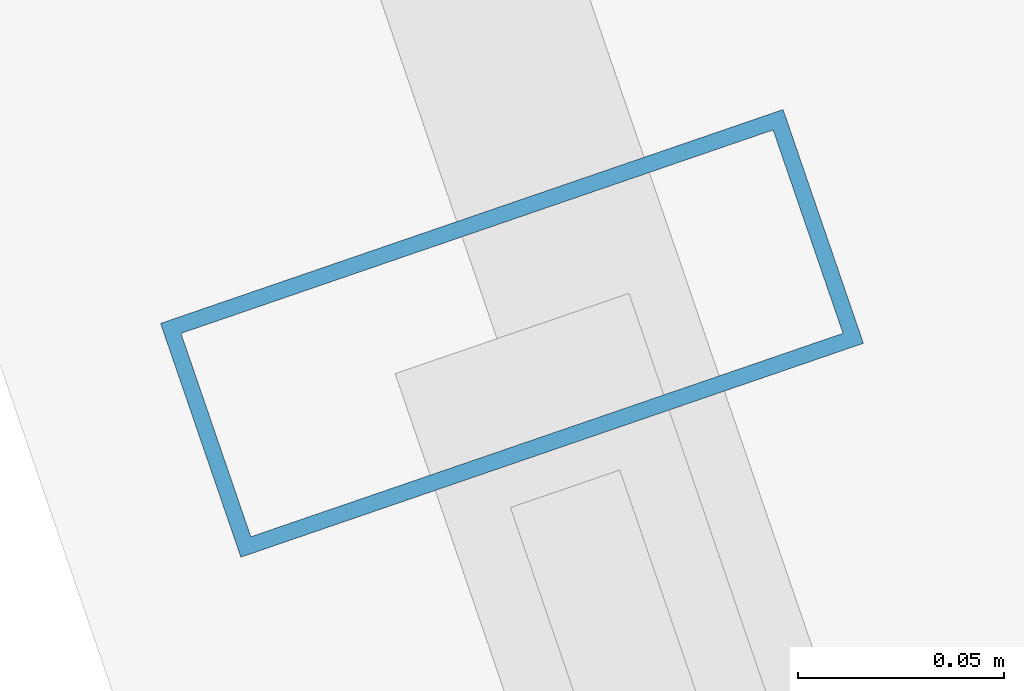
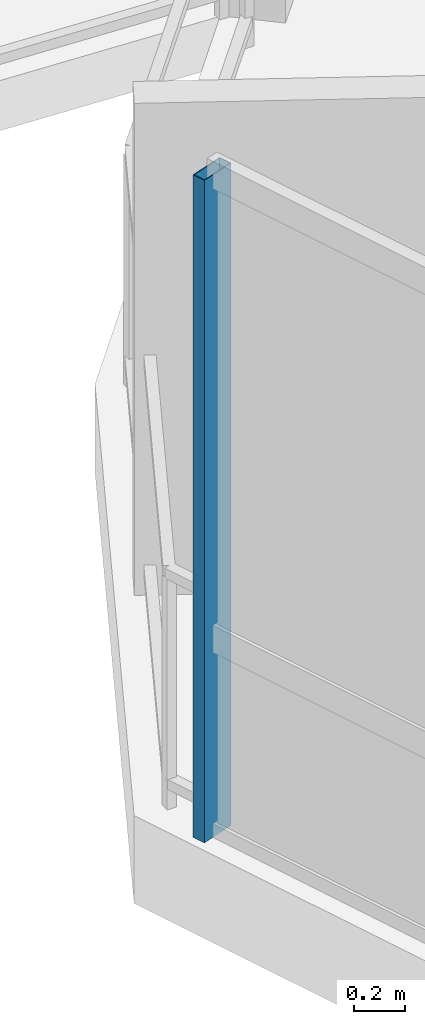
# One storey, part 17 of 33: 1 member, 1 element without a shape of its own.
"""IFC4 building model written with IfcOpenShell, lengths in metres."""

from ifc_helpers import new_model, si_unit, direction, frame, origin, origin_2d, place, context, subcontext, project, spatial, hollow_rectangle, extrude, material, layer, layer_set, material_profile, profile_set, type_object, element, aggregate, save


model = new_model("IFC4")

# Units and contexts
model_context = context("Model", 3, precision=1e-05, world=origin(), true_north=direction((0.0, 1.0)))
body_context = subcontext(model_context, "Body", "Model", "MODEL_VIEW")
ifc_project = project(units=[si_unit("LENGTHUNIT", "METRE"), si_unit("AREAUNIT", "SQUARE_METRE"), si_unit("VOLUMEUNIT", "CUBIC_METRE"), si_unit("PLANEANGLEUNIT", "RADIAN"), si_unit("MASSUNIT", "GRAM", prefix="KILO")], contexts=[model_context])

# Site, building, storey
site_placement = place(None, origin())
site = spatial("IfcSite", under=ifc_project, at=site_placement, CompositionType="ELEMENT")
building_placement = place(site_placement, origin())
building = spatial("IfcBuilding", under=site, at=building_placement, Name="Qarnah Convention Tower", CompositionType="ELEMENT")
storey_placement = place(building_placement, frame((0.0, 0.0, 27.0)))
storey = spatial("IfcBuildingStorey", under=building, at=storey_placement, Name="L05", CompositionType="ELEMENT", Elevation=27.0)

# Curtain wall, member
ifc_material_1 = material(Name="Tempered Low-E dark glass", Category="glass")
ifc_layer = layer(ifc_material_1, 0.16796875)
ifc_layer_set = layer_set([ifc_layer], Name="Tempered Low-E dark glass")
curtain_wall_type = type_object("IfcCurtainWallType", Name="CWS-01", PredefinedType="NOTDEFINED", material=ifc_layer_set)
curtain_wall_placement = place(storey_placement, origin())
curtain_wall = element("IfcCurtainWall", 1, at=curtain_wall_placement, inside=storey, type_object=curtain_wall_type, Name="L05 unitised curtain wall CW-L05-F1", PredefinedType="NOTDEFINED")
ifc_material_2 = material(Name="Black anodised aluminium", Category="aluminium")
ifc_material_profile = material_profile(ifc_material_2, hollow_rectangle(XDim=0.06005859375, YDim=0.159912109375, WallThickness=0.00390625, at=origin_2d()), Name="MUL-60X160")
ifc_profile_set = profile_set([ifc_material_profile], Name="Black anodised aluminium")
member_type = type_object("IfcMemberType", Name="MUL-T1", PredefinedType="MULLION", material=ifc_profile_set)
member_placement = place(storey_placement, frame((14.319091796875, 36.639892578125, 0.0), z_axis=(0.0, 0.0, 1.0), x_axis=(-0.324891257672, 0.945751378899, 0.0)))
member = element("IfcMember", 2, at=member_placement, type_object=member_type, Name="CW-L05-F1 mullion 6", PredefinedType="MULLION", context=body_context, shape_type="SweptSolid", body=[
    extrude(hollow_rectangle(XDim=0.06005859375, YDim=0.159912109375, WallThickness=0.00390625, at=origin_2d()), origin(), (0.0, 0.0, 1.0), 3.169921875),
])
aggregate(curtain_wall, [member])

save(model, "model.ifc")
